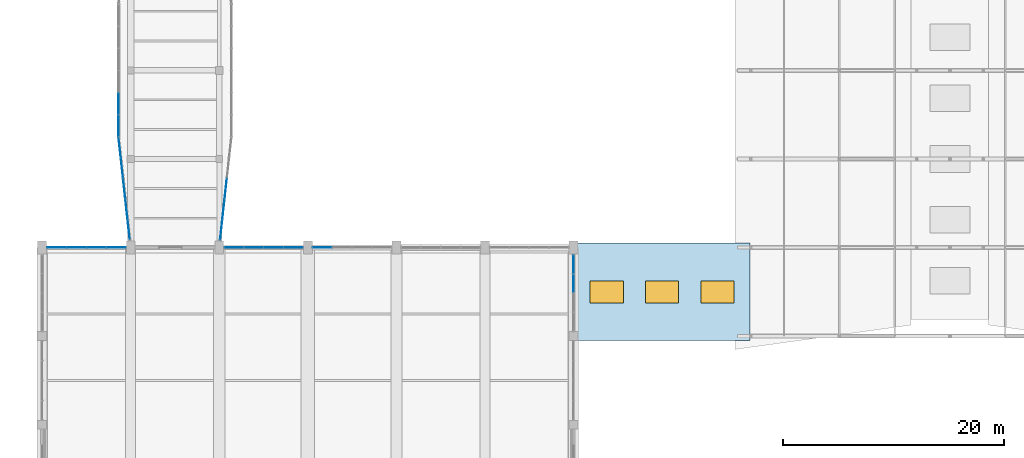
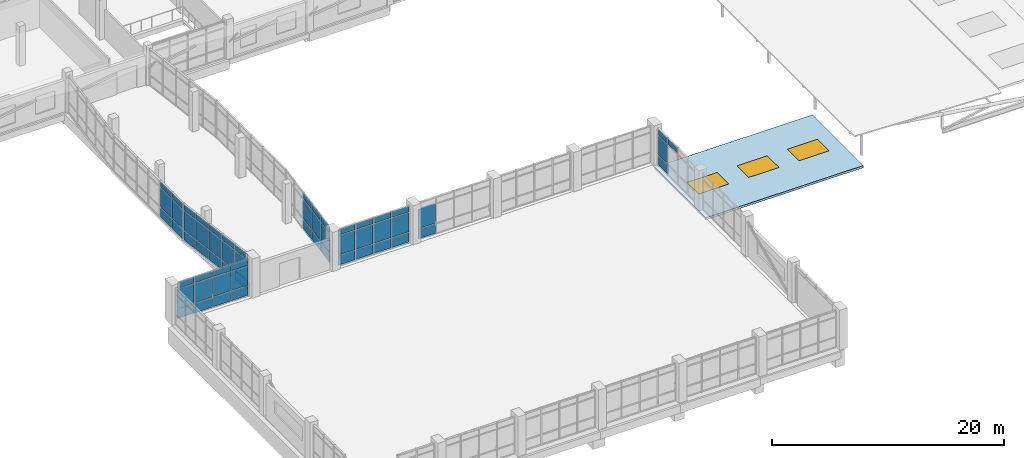
# One storey, part 54 of 84: 60 plates, 3 windows, 1 slab, 3 openings, 7 elements without a shape of their own.
"""IFC4 building model written with IfcOpenShell, lengths in metres."""

from ifc_helpers import new_model, si_unit, direction, frame, origin, origin_2d, place, context, subcontext, project, spatial, polyline, rectangle, outline, extrude, material, layer, layer_set, type_object, element, fill, aggregate, save


model = new_model("IFC4")

# Units and contexts
model_context = context("Model", 3, precision=1e-05, world=origin(), true_north=direction((0.0, 1.0)))
body_context = subcontext(model_context, "Body", "Model", "MODEL_VIEW")
ifc_project = project(units=[si_unit("LENGTHUNIT", "METRE"), si_unit("AREAUNIT", "SQUARE_METRE"), si_unit("VOLUMEUNIT", "CUBIC_METRE"), si_unit("PLANEANGLEUNIT", "RADIAN"), si_unit("MASSUNIT", "GRAM", prefix="KILO")], contexts=[model_context])

# Site, building, storey
site_placement = place(None, origin())
site = spatial("IfcSite", under=ifc_project, at=site_placement, CompositionType="ELEMENT")
building_placement = place(site_placement, origin())
building = spatial("IfcBuilding", under=site, at=building_placement, Name="Tenunan Teduh Sports Hall", CompositionType="ELEMENT")
storey_placement = place(building_placement, frame((0.0, 0.0, 10.800048828125)))
storey = spatial("IfcBuildingStorey", under=building, at=storey_placement, Name="L02", CompositionType="ELEMENT", Elevation=10.800048828125)

# Curtain wall, plates
ifc_material_1 = material(Name="Anodised aluminium", Category="aluminium")
curtain_wall_type_1 = type_object("IfcCurtainWallType", Name="CW-UNIT-2", PredefinedType="NOTDEFINED", material=ifc_material_1)
curtain_wall_1_placement = place(storey_placement, origin())
curtain_wall_1 = element("IfcCurtainWall", 1, at=curtain_wall_1_placement, inside=storey, type_object=curtain_wall_type_1, Name="CW-CWM-175-L02-058", PredefinedType="NOTDEFINED")
ifc_material_2 = material(Name="Low-E laminated double glazing", Category="glass")
ifc_layer_1 = layer(ifc_material_2, 0.028076171875)
ifc_layer_set_1 = layer_set([ifc_layer_1], Name="Low-E laminated double glazing")
plate_type_1 = type_object("IfcPlateType", Name="CWP-GLZ-28", PredefinedType="CURTAIN_PANEL", material=ifc_layer_set_1)
plate_1_placement = place(storey_placement, frame((7.316162109375, 46.0, 1.13232421875), z_axis=(0.0, 0.0, 1.0), x_axis=(1.0, 0.0, 0.0)))
plate_1 = element("IfcPlate", 2, at=plate_1_placement, type_object=plate_type_1, Name="CW-02 panel 1.2", PredefinedType="CURTAIN_PANEL", context=body_context, shape_type="SweptSolid", body=[
    extrude(rectangle(XDim=1.702392578125, YDim=0.028076171875, at=origin_2d()), origin(), (0.0, 0.0, 1.0), 2.034912109375),
])
plate_2_placement = place(storey_placement, frame((7.316162109375, 46.0, 3.232421875), z_axis=(0.0, 0.0, 1.0), x_axis=(1.0, 0.0, 0.0)))
plate_2 = element("IfcPlate", 3, at=plate_2_placement, type_object=plate_type_1, Name="CW-02 panel 1.3", PredefinedType="CURTAIN_PANEL", context=body_context, shape_type="SweptSolid", body=[
    extrude(rectangle(XDim=1.702392578125, YDim=0.028076171875, at=origin_2d()), origin(), (0.0, 0.0, 1.0), 0.6025390625),
])
plate_3_placement = place(storey_placement, frame((9.10009765625, 46.0, 1.13232421875), z_axis=(0.0, 0.0, 1.0), x_axis=(1.0, 0.0, 0.0)))
plate_3 = element("IfcPlate", 4, at=plate_3_placement, type_object=plate_type_1, Name="CW-02 panel 2.2", PredefinedType="CURTAIN_PANEL", context=body_context, shape_type="SweptSolid", body=[
    extrude(rectangle(XDim=1.735107421875, YDim=0.028076171875, at=origin_2d()), origin(), (0.0, 0.0, 1.0), 2.034912109375),
])
plate_4_placement = place(storey_placement, frame((9.10009765625, 46.0, 3.232421875), z_axis=(0.0, 0.0, 1.0), x_axis=(1.0, 0.0, 0.0)))
plate_4 = element("IfcPlate", 5, at=plate_4_placement, type_object=plate_type_1, Name="CW-02 panel 2.3", PredefinedType="CURTAIN_PANEL", context=body_context, shape_type="SweptSolid", body=[
    extrude(rectangle(XDim=1.735107421875, YDim=0.028076171875, at=origin_2d()), origin(), (0.0, 0.0, 1.0), 0.6025390625),
])
plate_5_placement = place(storey_placement, frame((10.89990234375, 46.0, 1.13232421875), z_axis=(0.0, 0.0, 1.0), x_axis=(1.0, 0.0, 0.0)))
plate_5 = element("IfcPlate", 6, at=plate_5_placement, type_object=plate_type_1, Name="CW-02 panel 3.2", PredefinedType="CURTAIN_PANEL", context=body_context, shape_type="SweptSolid", body=[
    extrude(rectangle(XDim=1.735107421875, YDim=0.028076171875, at=origin_2d()), origin(), (0.0, 0.0, 1.0), 2.034912109375),
])
plate_6_placement = place(storey_placement, frame((10.89990234375, 46.0, 3.232421875), z_axis=(0.0, 0.0, 1.0), x_axis=(1.0, 0.0, 0.0)))
plate_6 = element("IfcPlate", 7, at=plate_6_placement, type_object=plate_type_1, Name="CW-02 panel 3.3", PredefinedType="CURTAIN_PANEL", context=body_context, shape_type="SweptSolid", body=[
    extrude(rectangle(XDim=1.735107421875, YDim=0.028076171875, at=origin_2d()), origin(), (0.0, 0.0, 1.0), 0.6025390625),
])
plate_7_placement = place(storey_placement, frame((12.683837890625, 46.0, 1.13232421875), z_axis=(0.0, 0.0, 1.0), x_axis=(1.0, 0.0, 0.0)))
plate_7 = element("IfcPlate", 8, at=plate_7_placement, type_object=plate_type_1, Name="CW-02 panel 4.2", PredefinedType="CURTAIN_PANEL", context=body_context, shape_type="SweptSolid", body=[
    extrude(rectangle(XDim=1.702392578125, YDim=0.028076171875, at=origin_2d()), origin(), (0.0, 0.0, 1.0), 2.034912109375),
])
plate_8_placement = place(storey_placement, frame((12.683837890625, 46.0, 3.232421875), z_axis=(0.0, 0.0, 1.0), x_axis=(1.0, 0.0, 0.0)))
plate_8 = element("IfcPlate", 9, at=plate_8_placement, type_object=plate_type_1, Name="CW-02 panel 4.3", PredefinedType="CURTAIN_PANEL", context=body_context, shape_type="SweptSolid", body=[
    extrude(rectangle(XDim=1.702392578125, YDim=0.028076171875, at=origin_2d()), origin(), (0.0, 0.0, 1.0), 0.6025390625),
])

ifc_material_3 = material(Name="Anodised aluminium", Category="aluminium")
curtain_wall_type_2 = type_object("IfcCurtainWallType", Name="CW-BRIDGE-1", PredefinedType="NOTDEFINED", material=ifc_material_3)
curtain_wall_2_placement = place(storey_placement, origin())
curtain_wall_2 = element("IfcCurtainWall", 10, at=curtain_wall_2_placement, inside=storey, type_object=curtain_wall_type_2, Name="CW-CWM-200-L02-184", PredefinedType="NOTDEFINED")
plate_9_placement = place(storey_placement, frame((13.822021484375, 47.61865234375, 1.134765625), z_axis=(0.0, 0.0, 1.0), x_axis=(-0.109339531958, 0.994004460126, 0.0)))
plate_9 = element("IfcPlate", 11, at=plate_9_placement, type_object=plate_type_1, Name="CW-05 panel 1.2", PredefinedType="CURTAIN_PANEL", context=body_context, shape_type="SweptSolid", body=[
    extrude(rectangle(XDim=1.772705078125, YDim=0.028076171875, at=origin_2d()), origin(), (0.0, 0.0, 1.0), 2.030029296875),
])
plate_10_placement = place(storey_placement, frame((13.822021484375, 47.61865234375, 3.23486328125), z_axis=(0.0, 0.0, 1.0), x_axis=(-0.109339531958, 0.994004460126, 0.0)))
plate_10 = element("IfcPlate", 12, at=plate_10_placement, type_object=plate_type_1, Name="CW-05 panel 1.3", PredefinedType="CURTAIN_PANEL", context=body_context, shape_type="SweptSolid", body=[
    extrude(rectangle(XDim=1.772705078125, YDim=0.028076171875, at=origin_2d()), origin(), (0.0, 0.0, 1.0), 0.574951171875),
])
plate_11_placement = place(storey_placement, frame((13.61865234375, 49.4677734375, 1.134765625), z_axis=(0.0, 0.0, 1.0), x_axis=(-0.109339531958, 0.994004460126, 0.0)))
plate_11 = element("IfcPlate", 13, at=plate_11_placement, type_object=plate_type_1, Name="CW-05 panel 2.2", PredefinedType="CURTAIN_PANEL", context=body_context, shape_type="SweptSolid", body=[
    extrude(rectangle(XDim=1.8076171875, YDim=0.028076171875, at=origin_2d()), origin(), (0.0, 0.0, 1.0), 2.030029296875),
])
plate_12_placement = place(storey_placement, frame((13.61865234375, 49.4677734375, 3.23486328125), z_axis=(0.0, 0.0, 1.0), x_axis=(-0.109339531958, 0.994004460126, 0.0)))
plate_12 = element("IfcPlate", 14, at=plate_12_placement, type_object=plate_type_1, Name="CW-05 panel 2.3", PredefinedType="CURTAIN_PANEL", context=body_context, shape_type="SweptSolid", body=[
    extrude(rectangle(XDim=1.8076171875, YDim=0.028076171875, at=origin_2d()), origin(), (0.0, 0.0, 1.0), 0.574951171875),
])
plate_13_placement = place(storey_placement, frame((13.413330078125, 51.333984375, 1.134765625), z_axis=(0.0, 0.0, 1.0), x_axis=(-0.109339531958, 0.994004460126, 0.0)))
plate_13 = element("IfcPlate", 15, at=plate_13_placement, type_object=plate_type_1, Name="CW-05 panel 3.2", PredefinedType="CURTAIN_PANEL", context=body_context, shape_type="SweptSolid", body=[
    extrude(rectangle(XDim=1.8076171875, YDim=0.028076171875, at=origin_2d()), origin(), (0.0, 0.0, 1.0), 2.030029296875),
])
plate_14_placement = place(storey_placement, frame((13.413330078125, 51.333984375, 3.23486328125), z_axis=(0.0, 0.0, 1.0), x_axis=(-0.109339531958, 0.994004460126, 0.0)))
plate_14 = element("IfcPlate", 16, at=plate_14_placement, type_object=plate_type_1, Name="CW-05 panel 3.3", PredefinedType="CURTAIN_PANEL", context=body_context, shape_type="SweptSolid", body=[
    extrude(rectangle(XDim=1.8076171875, YDim=0.028076171875, at=origin_2d()), origin(), (0.0, 0.0, 1.0), 0.574951171875),
])
plate_15_placement = place(storey_placement, frame((13.2080078125, 53.200439453125, 1.134765625), z_axis=(0.0, 0.0, 1.0), x_axis=(-0.109339531958, 0.994004460126, 0.0)))
plate_15 = element("IfcPlate", 17, at=plate_15_placement, type_object=plate_type_1, Name="CW-05 panel 4.2", PredefinedType="CURTAIN_PANEL", context=body_context, shape_type="SweptSolid", body=[
    extrude(rectangle(XDim=1.8076171875, YDim=0.028076171875, at=origin_2d()), origin(), (0.0, 0.0, 1.0), 2.030029296875),
])
plate_16_placement = place(storey_placement, frame((13.2080078125, 53.200439453125, 3.23486328125), z_axis=(0.0, 0.0, 1.0), x_axis=(-0.109339531958, 0.994004460126, 0.0)))
plate_16 = element("IfcPlate", 18, at=plate_16_placement, type_object=plate_type_1, Name="CW-05 panel 4.3", PredefinedType="CURTAIN_PANEL", context=body_context, shape_type="SweptSolid", body=[
    extrude(rectangle(XDim=1.8076171875, YDim=0.028076171875, at=origin_2d()), origin(), (0.0, 0.0, 1.0), 0.574951171875),
])
plate_17_placement = place(storey_placement, frame((13.004638671875, 55.04931640625, 1.134765625), z_axis=(0.0, 0.0, 1.0), x_axis=(-0.109339531958, 0.994004460126, 0.0)))
plate_17 = element("IfcPlate", 19, at=plate_17_placement, type_object=plate_type_1, Name="CW-05 panel 5.2", PredefinedType="CURTAIN_PANEL", context=body_context, shape_type="SweptSolid", body=[
    extrude(rectangle(XDim=1.772705078125, YDim=0.028076171875, at=origin_2d()), origin(), (0.0, 0.0, 1.0), 2.030029296875),
])
plate_18_placement = place(storey_placement, frame((13.004638671875, 55.04931640625, 3.23486328125), z_axis=(0.0, 0.0, 1.0), x_axis=(-0.109339531958, 0.994004460126, 0.0)))
plate_18 = element("IfcPlate", 20, at=plate_18_placement, type_object=plate_type_1, Name="CW-05 panel 5.3", PredefinedType="CURTAIN_PANEL", context=body_context, shape_type="SweptSolid", body=[
    extrude(rectangle(XDim=1.772705078125, YDim=0.028076171875, at=origin_2d()), origin(), (0.0, 0.0, 1.0), 0.574951171875),
])

curtain_wall_3_placement = place(storey_placement, origin())
curtain_wall_3 = element("IfcCurtainWall", 21, at=curtain_wall_3_placement, inside=storey, type_object=curtain_wall_type_1, Name="CW-CWM-220-L02-061", PredefinedType="NOTDEFINED")
ifc_material_4 = material(Name="Solar-control laminated glazing", Category="glass")
ifc_layer_2 = layer(ifc_material_4, 0.031982421875)
ifc_layer_set_2 = layer_set([ifc_layer_2], Name="Solar-control laminated glazing")
plate_type_2 = type_object("IfcPlateType", Name="CWP-GLZ-32", PredefinedType="CURTAIN_PANEL", material=ifc_layer_set_2)
plate_19_placement = place(storey_placement, frame((23.31884765625, 46.0, 1.137451171875), z_axis=(0.0, 0.0, 1.0), x_axis=(1.0, 0.0, 0.0)))
plate_19 = element("IfcPlate", 22, at=plate_19_placement, type_object=plate_type_2, Name="CW-02 panel 1.2", PredefinedType="CURTAIN_PANEL", context=body_context, shape_type="SweptSolid", body=[
    extrude(rectangle(XDim=1.6875, YDim=0.031982421875, at=origin_2d()), origin(), (0.0, 0.0, 1.0), 2.02490234375),
])
plate_20_placement = place(storey_placement, frame((23.31884765625, 46.0, 3.237548828125), z_axis=(0.0, 0.0, 1.0), x_axis=(1.0, 0.0, 0.0)))
plate_20 = element("IfcPlate", 23, at=plate_20_placement, type_object=plate_type_2, Name="CW-02 panel 1.3", PredefinedType="CURTAIN_PANEL", context=body_context, shape_type="SweptSolid", body=[
    extrude(rectangle(XDim=1.6875, YDim=0.031982421875, at=origin_2d()), origin(), (0.0, 0.0, 1.0), 0.58740234375),
])
plate_21_placement = place(storey_placement, frame((25.10009765625, 46.0, 1.137451171875), z_axis=(0.0, 0.0, 1.0), x_axis=(1.0, 0.0, 0.0)))
plate_21 = element("IfcPlate", 24, at=plate_21_placement, type_object=plate_type_2, Name="CW-02 panel 2.2", PredefinedType="CURTAIN_PANEL", context=body_context, shape_type="SweptSolid", body=[
    extrude(rectangle(XDim=1.72509765625, YDim=0.031982421875, at=origin_2d()), origin(), (0.0, 0.0, 1.0), 2.02490234375),
])
plate_22_placement = place(storey_placement, frame((25.10009765625, 46.0, 3.237548828125), z_axis=(0.0, 0.0, 1.0), x_axis=(1.0, 0.0, 0.0)))
plate_22 = element("IfcPlate", 25, at=plate_22_placement, type_object=plate_type_2, Name="CW-02 panel 2.3", PredefinedType="CURTAIN_PANEL", context=body_context, shape_type="SweptSolid", body=[
    extrude(rectangle(XDim=1.72509765625, YDim=0.031982421875, at=origin_2d()), origin(), (0.0, 0.0, 1.0), 0.58740234375),
])
plate_23_placement = place(storey_placement, frame((26.89990234375, 46.0, 1.137451171875), z_axis=(0.0, 0.0, 1.0), x_axis=(1.0, 0.0, 0.0)))
plate_23 = element("IfcPlate", 26, at=plate_23_placement, type_object=plate_type_2, Name="CW-02 panel 3.2", PredefinedType="CURTAIN_PANEL", context=body_context, shape_type="SweptSolid", body=[
    extrude(rectangle(XDim=1.72509765625, YDim=0.031982421875, at=origin_2d()), origin(), (0.0, 0.0, 1.0), 2.02490234375),
])
plate_24_placement = place(storey_placement, frame((26.89990234375, 46.0, 3.237548828125), z_axis=(0.0, 0.0, 1.0), x_axis=(1.0, 0.0, 0.0)))
plate_24 = element("IfcPlate", 27, at=plate_24_placement, type_object=plate_type_2, Name="CW-02 panel 3.3", PredefinedType="CURTAIN_PANEL", context=body_context, shape_type="SweptSolid", body=[
    extrude(rectangle(XDim=1.72509765625, YDim=0.031982421875, at=origin_2d()), origin(), (0.0, 0.0, 1.0), 0.58740234375),
])
plate_25_placement = place(storey_placement, frame((28.68115234375, 46.0, 1.137451171875), z_axis=(0.0, 0.0, 1.0), x_axis=(1.0, 0.0, 0.0)))
plate_25 = element("IfcPlate", 28, at=plate_25_placement, type_object=plate_type_2, Name="CW-02 panel 4.2", PredefinedType="CURTAIN_PANEL", context=body_context, shape_type="SweptSolid", body=[
    extrude(rectangle(XDim=1.6875, YDim=0.031982421875, at=origin_2d()), origin(), (0.0, 0.0, 1.0), 2.02490234375),
])
plate_26_placement = place(storey_placement, frame((28.68115234375, 46.0, 3.237548828125), z_axis=(0.0, 0.0, 1.0), x_axis=(1.0, 0.0, 0.0)))
plate_26 = element("IfcPlate", 29, at=plate_26_placement, type_object=plate_type_2, Name="CW-02 panel 4.3", PredefinedType="CURTAIN_PANEL", context=body_context, shape_type="SweptSolid", body=[
    extrude(rectangle(XDim=1.6875, YDim=0.031982421875, at=origin_2d()), origin(), (0.0, 0.0, 1.0), 0.58740234375),
])

# Curtain wall, plate
curtain_wall_4_placement = place(storey_placement, origin())
curtain_wall_4 = element("IfcCurtainWall", 30, at=curtain_wall_4_placement, inside=storey, type_object=curtain_wall_type_1, Name="CW-CWM-150-L02-063", PredefinedType="NOTDEFINED")
plate_27_placement = place(storey_placement, frame((31.31494140625, 46.0, 1.1298828125), z_axis=(0.0, 0.0, 1.0), x_axis=(1.0, 0.0, 0.0)))
plate_27 = element("IfcPlate", 31, at=plate_27_placement, type_object=plate_type_2, Name="CW-02 panel 1.2", PredefinedType="CURTAIN_PANEL", context=body_context, shape_type="SweptSolid", body=[
    extrude(rectangle(XDim=1.7099609375, YDim=0.031982421875, at=origin_2d()), origin(), (0.0, 0.0, 1.0), 2.0400390625),
])

# Curtain wall, plates
curtain_wall_5_placement = place(storey_placement, origin())
curtain_wall_5 = element("IfcCurtainWall", 32, at=curtain_wall_5_placement, inside=storey, type_object=curtain_wall_type_1, Name="CW-CWM-220-L02-073", PredefinedType="NOTDEFINED")
plate_28_placement = place(storey_placement, frame((54.0, 42.77490234375, 3.237548828125), z_axis=(0.0, 0.0, 1.0), x_axis=(0.0, 1.0, 0.0)))
plate_28 = element("IfcPlate", 33, at=plate_28_placement, type_object=plate_type_2, Name="CW-02 panel 3.3", PredefinedType="CURTAIN_PANEL", context=body_context, shape_type="SweptSolid", body=[
    extrude(rectangle(XDim=1.675048828125, YDim=0.031982421875, at=origin_2d()), origin(), (0.0, 0.0, 1.0), 0.58740234375),
])
plate_29_placement = place(storey_placement, frame((54.0, 44.50634765625, 1.137451171875), z_axis=(0.0, 0.0, 1.0), x_axis=(0.0, 1.0, 0.0)))
plate_29 = element("IfcPlate", 34, at=plate_29_placement, type_object=plate_type_2, Name="CW-02 panel 4.2", PredefinedType="CURTAIN_PANEL", context=body_context, shape_type="SweptSolid", body=[
    extrude(rectangle(XDim=1.637451171875, YDim=0.031982421875, at=origin_2d()), origin(), (0.0, 0.0, 1.0), 2.02490234375),
])
plate_30_placement = place(storey_placement, frame((54.0, 44.50634765625, 3.237548828125), z_axis=(0.0, 0.0, 1.0), x_axis=(0.0, 1.0, 0.0)))
plate_30 = element("IfcPlate", 35, at=plate_30_placement, type_object=plate_type_2, Name="CW-02 panel 4.3", PredefinedType="CURTAIN_PANEL", context=body_context, shape_type="SweptSolid", body=[
    extrude(rectangle(XDim=1.637451171875, YDim=0.031982421875, at=origin_2d()), origin(), (0.0, 0.0, 1.0), 0.58740234375),
])

curtain_wall_6_placement = place(storey_placement, origin())
curtain_wall_6 = element("IfcCurtainWall", 36, at=curtain_wall_6_placement, inside=storey, type_object=curtain_wall_type_2, Name="CW-CWM-220-L02-185", PredefinedType="NOTDEFINED")
plate_31_placement = place(storey_placement, frame((12.89990234375, 57.018798828125, 1.137451171875), z_axis=(0.0, 0.0, 1.0), x_axis=(0.0, 1.0, 0.0)))
plate_31 = element("IfcPlate", 37, at=plate_31_placement, type_object=plate_type_2, Name="CW-05 panel 1.2", PredefinedType="CURTAIN_PANEL", context=body_context, shape_type="SweptSolid", body=[
    extrude(rectangle(XDim=1.887451171875, YDim=0.031982421875, at=origin_2d()), origin(), (0.0, 0.0, 1.0), 2.02490234375),
])
plate_32_placement = place(storey_placement, frame((12.89990234375, 57.018798828125, 3.237548828125), z_axis=(0.0, 0.0, 1.0), x_axis=(0.0, 1.0, 0.0)))
plate_32 = element("IfcPlate", 38, at=plate_32_placement, type_object=plate_type_2, Name="CW-05 panel 1.3", PredefinedType="CURTAIN_PANEL", context=body_context, shape_type="SweptSolid", body=[
    extrude(rectangle(XDim=1.887451171875, YDim=0.031982421875, at=origin_2d()), origin(), (0.0, 0.0, 1.0), 0.5673828125),
])
plate_33_placement = place(storey_placement, frame((12.89990234375, 59.0, 1.137451171875), z_axis=(0.0, 0.0, 1.0), x_axis=(0.0, 1.0, 0.0)))
plate_33 = element("IfcPlate", 39, at=plate_33_placement, type_object=plate_type_2, Name="CW-05 panel 2.2", PredefinedType="CURTAIN_PANEL", context=body_context, shape_type="SweptSolid", body=[
    extrude(rectangle(XDim=1.925048828125, YDim=0.031982421875, at=origin_2d()), origin(), (0.0, 0.0, 1.0), 2.02490234375),
])
plate_34_placement = place(storey_placement, frame((12.89990234375, 59.0, 3.237548828125), z_axis=(0.0, 0.0, 1.0), x_axis=(0.0, 1.0, 0.0)))
plate_34 = element("IfcPlate", 40, at=plate_34_placement, type_object=plate_type_2, Name="CW-05 panel 2.3", PredefinedType="CURTAIN_PANEL", context=body_context, shape_type="SweptSolid", body=[
    extrude(rectangle(XDim=1.925048828125, YDim=0.031982421875, at=origin_2d()), origin(), (0.0, 0.0, 1.0), 0.5673828125),
])

curtain_wall_7_placement = place(storey_placement, origin())
curtain_wall_7 = element("IfcCurtainWall", 41, at=curtain_wall_7_placement, inside=storey, type_object=curtain_wall_type_2, Name="CW-CWM-150-L02-187", PredefinedType="NOTDEFINED")
plate_35_placement = place(storey_placement, frame((22.177734375, 47.6162109375, 1.1298828125), z_axis=(0.0, 0.0, 1.0), x_axis=(0.109339531958, 0.994004460126, 0.0)))
plate_35 = element("IfcPlate", 42, at=plate_35_placement, type_object=plate_type_2, Name="CW-05 panel 1.2", PredefinedType="CURTAIN_PANEL", context=body_context, shape_type="SweptSolid", body=[
    extrude(rectangle(XDim=1.78759765625, YDim=0.031982421875, at=origin_2d()), origin(), (0.0, 0.0, 1.0), 2.0400390625),
])
plate_36_placement = place(storey_placement, frame((22.177734375, 47.6162109375, 3.22998046875), z_axis=(0.0, 0.0, 1.0), x_axis=(0.109339531958, 0.994004460126, 0.0)))
plate_36 = element("IfcPlate", 43, at=plate_36_placement, type_object=plate_type_2, Name="CW-05 panel 1.3", PredefinedType="CURTAIN_PANEL", context=body_context, shape_type="SweptSolid", body=[
    extrude(rectangle(XDim=1.78759765625, YDim=0.031982421875, at=origin_2d()), origin(), (0.0, 0.0, 1.0), 0.590087890625),
])
plate_37_placement = place(storey_placement, frame((22.38134765625, 49.4677734375, 1.1298828125), z_axis=(0.0, 0.0, 1.0), x_axis=(0.109339531958, 0.994004460126, 0.0)))
plate_37 = element("IfcPlate", 44, at=plate_37_placement, type_object=plate_type_2, Name="CW-05 panel 2.2", PredefinedType="CURTAIN_PANEL", context=body_context, shape_type="SweptSolid", body=[
    extrude(rectangle(XDim=1.817626953125, YDim=0.031982421875, at=origin_2d()), origin(), (0.0, 0.0, 1.0), 2.0400390625),
])
plate_38_placement = place(storey_placement, frame((22.38134765625, 49.4677734375, 3.22998046875), z_axis=(0.0, 0.0, 1.0), x_axis=(0.109339531958, 0.994004460126, 0.0)))
plate_38 = element("IfcPlate", 45, at=plate_38_placement, type_object=plate_type_2, Name="CW-05 panel 2.3", PredefinedType="CURTAIN_PANEL", context=body_context, shape_type="SweptSolid", body=[
    extrude(rectangle(XDim=1.817626953125, YDim=0.031982421875, at=origin_2d()), origin(), (0.0, 0.0, 1.0), 0.590087890625),
])
plate_39_placement = place(storey_placement, frame((22.586669921875, 51.333984375, 1.1298828125), z_axis=(0.0, 0.0, 1.0), x_axis=(0.109339531958, 0.994004460126, 0.0)))
plate_39 = element("IfcPlate", 46, at=plate_39_placement, type_object=plate_type_2, Name="CW-05 panel 3.2", PredefinedType="CURTAIN_PANEL", context=body_context, shape_type="SweptSolid", body=[
    extrude(rectangle(XDim=1.817626953125, YDim=0.031982421875, at=origin_2d()), origin(), (0.0, 0.0, 1.0), 2.0400390625),
])
plate_40_placement = place(storey_placement, frame((22.586669921875, 51.333984375, 3.22998046875), z_axis=(0.0, 0.0, 1.0), x_axis=(0.109339531958, 0.994004460126, 0.0)))
plate_40 = element("IfcPlate", 47, at=plate_40_placement, type_object=plate_type_2, Name="CW-05 panel 3.3", PredefinedType="CURTAIN_PANEL", context=body_context, shape_type="SweptSolid", body=[
    extrude(rectangle(XDim=1.817626953125, YDim=0.031982421875, at=origin_2d()), origin(), (0.0, 0.0, 1.0), 0.590087890625),
])

# Plate
ifc_material_5 = material(Name="Insulated aluminium spandrel panel", Category="aluminium")
ifc_layer_3 = layer(ifc_material_5, 0.044921875)
ifc_layer_set_3 = layer_set([ifc_layer_3], Name="Insulated aluminium spandrel panel")
plate_type_3 = type_object("IfcPlateType", Name="CWP-SPN-45", PredefinedType="CURTAIN_PANEL", material=ifc_layer_set_3)
plate_41_placement = place(storey_placement, frame((7.316162109375, 46.0, 0.06494140625), z_axis=(0.0, 0.0, 1.0), x_axis=(1.0, 0.0, 0.0)))
plate_41 = element("IfcPlate", 48, at=plate_41_placement, type_object=plate_type_3, Name="CW-02 panel 1.1", PredefinedType="CURTAIN_PANEL", context=body_context, shape_type="SweptSolid", body=[
    extrude(rectangle(XDim=1.702392578125, YDim=0.028076171875, at=origin_2d()), origin(), (0.0, 0.0, 1.0), 1.00244140625),
])

plate_42_placement = place(storey_placement, frame((9.10009765625, 46.0, 0.06494140625), z_axis=(0.0, 0.0, 1.0), x_axis=(1.0, 0.0, 0.0)))
plate_42 = element("IfcPlate", 49, at=plate_42_placement, type_object=plate_type_3, Name="CW-02 panel 2.1", PredefinedType="CURTAIN_PANEL", context=body_context, shape_type="SweptSolid", body=[
    extrude(rectangle(XDim=1.735107421875, YDim=0.028076171875, at=origin_2d()), origin(), (0.0, 0.0, 1.0), 1.00244140625),
])

plate_43_placement = place(storey_placement, frame((10.89990234375, 46.0, 0.06494140625), z_axis=(0.0, 0.0, 1.0), x_axis=(1.0, 0.0, 0.0)))
plate_43 = element("IfcPlate", 50, at=plate_43_placement, type_object=plate_type_3, Name="CW-02 panel 3.1", PredefinedType="CURTAIN_PANEL", context=body_context, shape_type="SweptSolid", body=[
    extrude(rectangle(XDim=1.735107421875, YDim=0.028076171875, at=origin_2d()), origin(), (0.0, 0.0, 1.0), 1.00244140625),
])

plate_44_placement = place(storey_placement, frame((12.683837890625, 46.0, 0.06494140625), z_axis=(0.0, 0.0, 1.0), x_axis=(1.0, 0.0, 0.0)))
plate_44 = element("IfcPlate", 51, at=plate_44_placement, type_object=plate_type_3, Name="CW-02 panel 4.1", PredefinedType="CURTAIN_PANEL", context=body_context, shape_type="SweptSolid", body=[
    extrude(rectangle(XDim=1.702392578125, YDim=0.028076171875, at=origin_2d()), origin(), (0.0, 0.0, 1.0), 1.00244140625),
])

aggregate(curtain_wall_1, [plate_41, plate_1, plate_2, plate_42, plate_3, plate_4, plate_43, plate_5, plate_6, plate_44, plate_7, plate_8])

plate_45_placement = place(storey_placement, frame((23.31884765625, 46.0, 0.07470703125), z_axis=(0.0, 0.0, 1.0), x_axis=(1.0, 0.0, 0.0)))
plate_45 = element("IfcPlate", 52, at=plate_45_placement, type_object=plate_type_3, Name="CW-02 panel 1.1", PredefinedType="CURTAIN_PANEL", context=body_context, shape_type="SweptSolid", body=[
    extrude(rectangle(XDim=1.6875, YDim=0.031982421875, at=origin_2d()), origin(), (0.0, 0.0, 1.0), 0.987548828125),
])

plate_46_placement = place(storey_placement, frame((25.10009765625, 46.0, 0.07470703125), z_axis=(0.0, 0.0, 1.0), x_axis=(1.0, 0.0, 0.0)))
plate_46 = element("IfcPlate", 53, at=plate_46_placement, type_object=plate_type_3, Name="CW-02 panel 2.1", PredefinedType="CURTAIN_PANEL", context=body_context, shape_type="SweptSolid", body=[
    extrude(rectangle(XDim=1.72509765625, YDim=0.031982421875, at=origin_2d()), origin(), (0.0, 0.0, 1.0), 0.987548828125),
])

plate_47_placement = place(storey_placement, frame((26.89990234375, 46.0, 0.07470703125), z_axis=(0.0, 0.0, 1.0), x_axis=(1.0, 0.0, 0.0)))
plate_47 = element("IfcPlate", 54, at=plate_47_placement, type_object=plate_type_3, Name="CW-02 panel 3.1", PredefinedType="CURTAIN_PANEL", context=body_context, shape_type="SweptSolid", body=[
    extrude(rectangle(XDim=1.72509765625, YDim=0.031982421875, at=origin_2d()), origin(), (0.0, 0.0, 1.0), 0.987548828125),
])

plate_48_placement = place(storey_placement, frame((28.68115234375, 46.0, 0.07470703125), z_axis=(0.0, 0.0, 1.0), x_axis=(1.0, 0.0, 0.0)))
plate_48 = element("IfcPlate", 55, at=plate_48_placement, type_object=plate_type_3, Name="CW-02 panel 4.1", PredefinedType="CURTAIN_PANEL", context=body_context, shape_type="SweptSolid", body=[
    extrude(rectangle(XDim=1.6875, YDim=0.031982421875, at=origin_2d()), origin(), (0.0, 0.0, 1.0), 0.987548828125),
])

aggregate(curtain_wall_3, [plate_45, plate_19, plate_20, plate_46, plate_21, plate_22, plate_47, plate_23, plate_24, plate_48, plate_25, plate_26])

plate_49_placement = place(storey_placement, frame((31.31494140625, 46.0, 0.06005859375), z_axis=(0.0, 0.0, 1.0), x_axis=(1.0, 0.0, 0.0)))
plate_49 = element("IfcPlate", 56, at=plate_49_placement, type_object=plate_type_3, Name="CW-02 panel 1.1", PredefinedType="CURTAIN_PANEL", context=body_context, shape_type="SweptSolid", body=[
    extrude(rectangle(XDim=1.7099609375, YDim=0.031982421875, at=origin_2d()), origin(), (0.0, 0.0, 1.0), 1.010009765625),
])

aggregate(curtain_wall_4, [plate_49, plate_27])

plate_50_placement = place(storey_placement, frame((54.0, 44.50634765625, 0.07470703125), z_axis=(0.0, 0.0, 1.0), x_axis=(0.0, 1.0, 0.0)))
plate_50 = element("IfcPlate", 57, at=plate_50_placement, type_object=plate_type_3, Name="CW-02 panel 4.1", PredefinedType="CURTAIN_PANEL", context=body_context, shape_type="SweptSolid", body=[
    extrude(rectangle(XDim=1.637451171875, YDim=0.031982421875, at=origin_2d()), origin(), (0.0, 0.0, 1.0), 0.987548828125),
])

aggregate(curtain_wall_5, [plate_28, plate_50, plate_29, plate_30])

plate_51_placement = place(storey_placement, frame((13.822021484375, 47.61865234375, 0.06982421875), z_axis=(0.0, 0.0, 1.0), x_axis=(-0.109339531958, 0.994004460126, 0.0)))
plate_51 = element("IfcPlate", 58, at=plate_51_placement, type_object=plate_type_3, Name="CW-05 panel 1.1", PredefinedType="CURTAIN_PANEL", context=body_context, shape_type="SweptSolid", body=[
    extrude(rectangle(XDim=1.772705078125, YDim=0.028076171875, at=origin_2d()), origin(), (0.0, 0.0, 1.0), 0.9951171875),
])

plate_52_placement = place(storey_placement, frame((13.61865234375, 49.4677734375, 0.06982421875), z_axis=(0.0, 0.0, 1.0), x_axis=(-0.109339531958, 0.994004460126, 0.0)))
plate_52 = element("IfcPlate", 59, at=plate_52_placement, type_object=plate_type_3, Name="CW-05 panel 2.1", PredefinedType="CURTAIN_PANEL", context=body_context, shape_type="SweptSolid", body=[
    extrude(rectangle(XDim=1.8076171875, YDim=0.028076171875, at=origin_2d()), origin(), (0.0, 0.0, 1.0), 0.9951171875),
])

plate_53_placement = place(storey_placement, frame((13.413330078125, 51.333984375, 0.06982421875), z_axis=(0.0, 0.0, 1.0), x_axis=(-0.109339531958, 0.994004460126, 0.0)))
plate_53 = element("IfcPlate", 60, at=plate_53_placement, type_object=plate_type_3, Name="CW-05 panel 3.1", PredefinedType="CURTAIN_PANEL", context=body_context, shape_type="SweptSolid", body=[
    extrude(rectangle(XDim=1.8076171875, YDim=0.028076171875, at=origin_2d()), origin(), (0.0, 0.0, 1.0), 0.9951171875),
])

plate_54_placement = place(storey_placement, frame((13.2080078125, 53.200439453125, 0.06982421875), z_axis=(0.0, 0.0, 1.0), x_axis=(-0.109339531958, 0.994004460126, 0.0)))
plate_54 = element("IfcPlate", 61, at=plate_54_placement, type_object=plate_type_3, Name="CW-05 panel 4.1", PredefinedType="CURTAIN_PANEL", context=body_context, shape_type="SweptSolid", body=[
    extrude(rectangle(XDim=1.8076171875, YDim=0.028076171875, at=origin_2d()), origin(), (0.0, 0.0, 1.0), 0.9951171875),
])

plate_55_placement = place(storey_placement, frame((13.004638671875, 55.04931640625, 0.06982421875), z_axis=(0.0, 0.0, 1.0), x_axis=(-0.109339531958, 0.994004460126, 0.0)))
plate_55 = element("IfcPlate", 62, at=plate_55_placement, type_object=plate_type_3, Name="CW-05 panel 5.1", PredefinedType="CURTAIN_PANEL", context=body_context, shape_type="SweptSolid", body=[
    extrude(rectangle(XDim=1.772705078125, YDim=0.028076171875, at=origin_2d()), origin(), (0.0, 0.0, 1.0), 0.9951171875),
])

aggregate(curtain_wall_2, [plate_51, plate_9, plate_10, plate_52, plate_11, plate_12, plate_53, plate_13, plate_14, plate_54, plate_15, plate_16, plate_55, plate_17, plate_18])

plate_56_placement = place(storey_placement, frame((12.89990234375, 57.018798828125, 0.07470703125), z_axis=(0.0, 0.0, 1.0), x_axis=(0.0, 1.0, 0.0)))
plate_56 = element("IfcPlate", 63, at=plate_56_placement, type_object=plate_type_3, Name="CW-05 panel 1.1", PredefinedType="CURTAIN_PANEL", context=body_context, shape_type="SweptSolid", body=[
    extrude(rectangle(XDim=1.887451171875, YDim=0.031982421875, at=origin_2d()), origin(), (0.0, 0.0, 1.0), 0.987548828125),
])

plate_57_placement = place(storey_placement, frame((12.89990234375, 59.0, 0.07470703125), z_axis=(0.0, 0.0, 1.0), x_axis=(0.0, 1.0, 0.0)))
plate_57 = element("IfcPlate", 64, at=plate_57_placement, type_object=plate_type_3, Name="CW-05 panel 2.1", PredefinedType="CURTAIN_PANEL", context=body_context, shape_type="SweptSolid", body=[
    extrude(rectangle(XDim=1.925048828125, YDim=0.031982421875, at=origin_2d()), origin(), (0.0, 0.0, 1.0), 0.987548828125),
])

aggregate(curtain_wall_6, [plate_56, plate_31, plate_32, plate_57, plate_33, plate_34])

plate_58_placement = place(storey_placement, frame((22.177734375, 47.6162109375, 0.06005859375), z_axis=(0.0, 0.0, 1.0), x_axis=(0.109339531958, 0.994004460126, 0.0)))
plate_58 = element("IfcPlate", 65, at=plate_58_placement, type_object=plate_type_3, Name="CW-05 panel 1.1", PredefinedType="CURTAIN_PANEL", context=body_context, shape_type="SweptSolid", body=[
    extrude(rectangle(XDim=1.78759765625, YDim=0.031982421875, at=origin_2d()), origin(), (0.0, 0.0, 1.0), 1.010009765625),
])

plate_59_placement = place(storey_placement, frame((22.38134765625, 49.4677734375, 0.06005859375), z_axis=(0.0, 0.0, 1.0), x_axis=(0.109339531958, 0.994004460126, 0.0)))
plate_59 = element("IfcPlate", 66, at=plate_59_placement, type_object=plate_type_3, Name="CW-05 panel 2.1", PredefinedType="CURTAIN_PANEL", context=body_context, shape_type="SweptSolid", body=[
    extrude(rectangle(XDim=1.817626953125, YDim=0.031982421875, at=origin_2d()), origin(), (0.0, 0.0, 1.0), 1.010009765625),
])

plate_60_placement = place(storey_placement, frame((22.586669921875, 51.333984375, 0.06005859375), z_axis=(0.0, 0.0, 1.0), x_axis=(0.109339531958, 0.994004460126, 0.0)))
plate_60 = element("IfcPlate", 67, at=plate_60_placement, type_object=plate_type_3, Name="CW-05 panel 3.1", PredefinedType="CURTAIN_PANEL", context=body_context, shape_type="SweptSolid", body=[
    extrude(rectangle(XDim=1.817626953125, YDim=0.031982421875, at=origin_2d()), origin(), (0.0, 0.0, 1.0), 1.010009765625),
])

aggregate(curtain_wall_7, [plate_58, plate_35, plate_36, plate_59, plate_37, plate_38, plate_60, plate_39, plate_40])

# Slab, openings, windows
ifc_material_6 = material(Name="Concrete C40/50", Category="concrete")
ifc_layer_4 = layer(ifc_material_6, 0.22998046875)
ifc_layer_set_4 = layer_set([ifc_layer_4], Name="Concrete C40/50")
slab_type = type_object("IfcSlabType", Name="SLB-ROOF-230", PredefinedType="ROOF", material=ifc_layer_set_4)
slab_placement = place(storey_placement, frame((0.0, 0.0, -1.179931640625)))
slab = element("IfcSlab", 68, at=slab_placement, inside=storey, type_object=slab_type, Name="SL-L01-LINK-W-RF", PredefinedType="ROOF", context=body_context, shape_type="SweptSolid", body=[
    extrude(outline(polyline([(54.25, 37.60009765625), (69.949951171875, 37.60009765625), (69.949951171875, 46.39990234375), (54.25, 46.39990234375), (54.25, 37.60009765625)])), origin(), (0.0, 0.0, 1.0), 0.22998046875),
])
opening_1_placement = place(slab_placement, frame((57.0, 42.0, 0.0)))
opening_1 = element("IfcOpeningElement", 69, at=opening_1_placement, cuts=slab, Name="Opening SK-02", PredefinedType="OPENING", context=body_context, shape_type="SweptSolid", body=[
    extrude(rectangle(XDim=3.0, YDim=2.0, at=origin_2d()), origin(), (0.0, 0.0, 1.0), 0.22998046875),
])
opening_2_placement = place(slab_placement, frame((62.0, 42.0, 0.0)))
opening_2 = element("IfcOpeningElement", 70, at=opening_2_placement, cuts=slab, Name="Opening SK-02", PredefinedType="OPENING", context=body_context, shape_type="SweptSolid", body=[
    extrude(rectangle(XDim=3.0, YDim=2.0, at=origin_2d()), origin(), (0.0, 0.0, 1.0), 0.22998046875),
])
opening_3_placement = place(slab_placement, frame((67.0, 42.0, 0.0)))
opening_3 = element("IfcOpeningElement", 71, at=opening_3_placement, cuts=slab, Name="Opening SK-02", PredefinedType="OPENING", context=body_context, shape_type="SweptSolid", body=[
    extrude(rectangle(XDim=3.0, YDim=2.0, at=origin_2d()), origin(), (0.0, 0.0, 1.0), 0.22998046875),
])
ifc_material_7 = material(Name="Thermally broken aluminium and Low-E glazing", Category="aluminium")
window_type = type_object("IfcWindowType", Name="SKY-02", PartitioningType="SINGLE_PANEL", PredefinedType="SKYLIGHT", material=ifc_material_7)
window_1_placement = place(opening_1_placement, frame((0.0, 0.0, 0.179931640625)))
window_1 = element("IfcWindow", 72, at=window_1_placement, inside=storey, type_object=window_type, Name="SKY-L02-01", OverallHeight=2.0, OverallWidth=3.0, PartitioningType="SINGLE_PANEL", PredefinedType="SKYLIGHT", context=body_context, shape_type="SweptSolid", body=[
    extrude(rectangle(XDim=3.0, YDim=2.0, at=origin_2d()), origin(), (0.0, 0.0, 1.0), 0.050048828125),
])
fill(opening_1, window_1)
window_2_placement = place(opening_2_placement, frame((0.0, 0.0, 0.179931640625)))
window_2 = element("IfcWindow", 73, at=window_2_placement, inside=storey, type_object=window_type, Name="SKY-L02-02", OverallHeight=2.0, OverallWidth=3.0, PartitioningType="SINGLE_PANEL", PredefinedType="SKYLIGHT", context=body_context, shape_type="SweptSolid", body=[
    extrude(rectangle(XDim=3.0, YDim=2.0, at=origin_2d()), origin(), (0.0, 0.0, 1.0), 0.050048828125),
])
fill(opening_2, window_2)
window_3_placement = place(opening_3_placement, frame((0.0, 0.0, 0.179931640625)))
window_3 = element("IfcWindow", 74, at=window_3_placement, inside=storey, type_object=window_type, Name="SKY-L02-03", OverallHeight=2.0, OverallWidth=3.0, PartitioningType="SINGLE_PANEL", PredefinedType="SKYLIGHT", context=body_context, shape_type="SweptSolid", body=[
    extrude(rectangle(XDim=3.0, YDim=2.0, at=origin_2d()), origin(), (0.0, 0.0, 1.0), 0.050048828125),
])
fill(opening_3, window_3)

save(model, "model.ifc")
